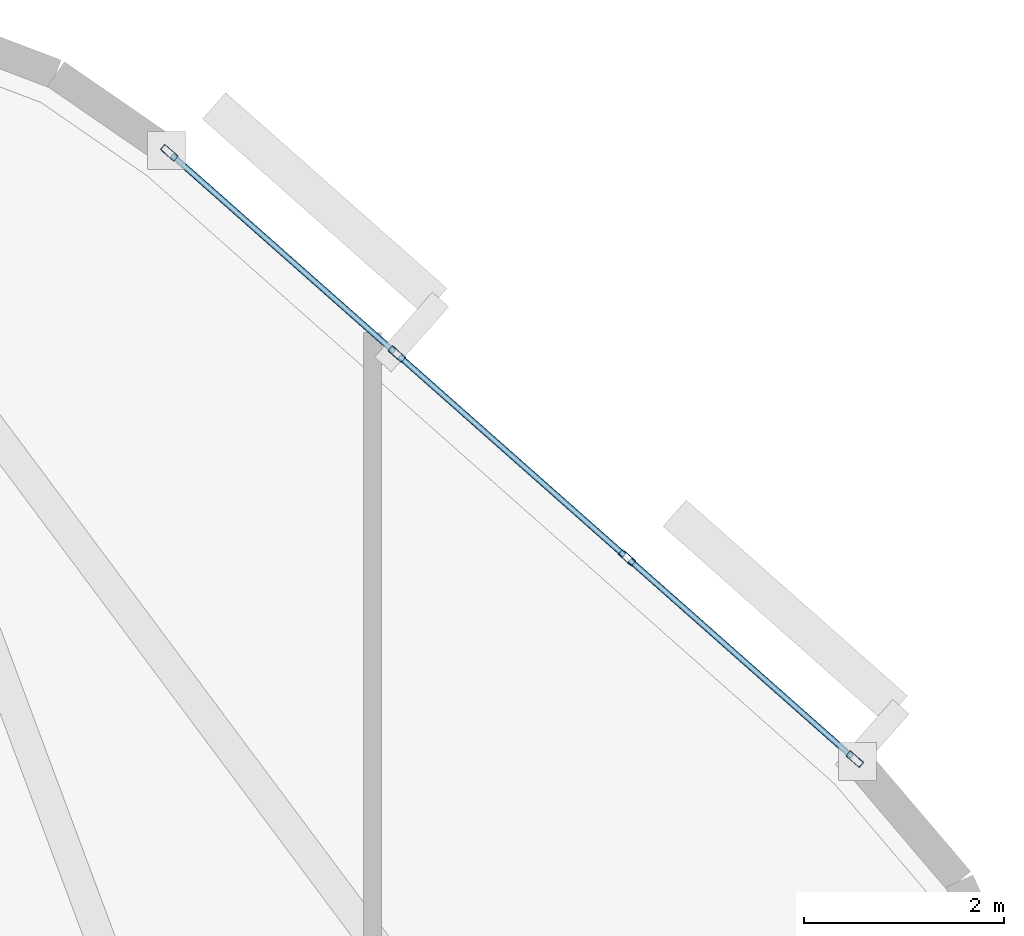
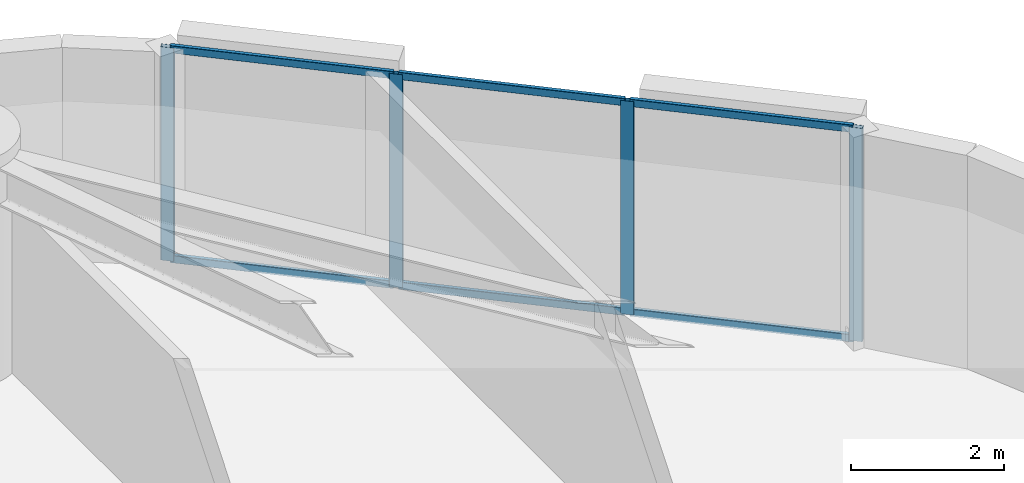
# One storey, part 8 of 16: 10 members, 1 element without a shape of its own.
"""IFC4 building model written with IfcOpenShell, lengths in metres."""

from ifc_helpers import new_model, si_unit, direction, frame, origin, origin_2d, place, context, subcontext, project, spatial, hollow_rectangle, extrude, material, layer, layer_set, material_profile, profile_set, type_object, element, aggregate, save


model = new_model("IFC4")

# Units and contexts
model_context = context("Model", 3, precision=1e-05, world=origin(), true_north=direction((0.0, 1.0)))
body_context = subcontext(model_context, "Body", "Model", "MODEL_VIEW")
ifc_project = project(units=[si_unit("LENGTHUNIT", "METRE"), si_unit("AREAUNIT", "SQUARE_METRE"), si_unit("VOLUMEUNIT", "CUBIC_METRE"), si_unit("PLANEANGLEUNIT", "RADIAN"), si_unit("MASSUNIT", "GRAM", prefix="KILO")], contexts=[model_context])

# Site, building, storey
site_placement = place(None, origin())
site = spatial("IfcSite", under=ifc_project, at=site_placement, CompositionType="ELEMENT")
building_placement = place(site_placement, origin())
building = spatial("IfcBuilding", under=site, at=building_placement, Name="An Khanh Terracotta Commons", CompositionType="ELEMENT")
storey_placement = place(building_placement, frame((0.0, 0.0, 57.60009765625)))
storey = spatial("IfcBuildingStorey", under=building, at=storey_placement, Name="L15", CompositionType="ELEMENT", Elevation=57.60009765625)

# Curtain wall, members
ifc_material = material(Name="Anodised Aluminium 6063-T6", Category="aluminium")
ifc_layer = layer(ifc_material, 0.199951171875, Name="Anodised Aluminium 6063-T6")
ifc_layer_set = layer_set([ifc_layer], Name="Anodised Aluminium 6063-T6")
curtain_wall_type = type_object("IfcCurtainWallType", Name="CW-SYS-02", PredefinedType="USERDEFINED", material=ifc_layer_set)
curtain_wall_placement = place(storey_placement, origin())
curtain_wall = element("IfcCurtainWall", 1, at=curtain_wall_placement, inside=storey, type_object=curtain_wall_type, Name="L15 CW-02 Unitised Curtain Wall CW-L15-16", ObjectType="UNITISED CURTAIN WALL", PredefinedType="USERDEFINED")
ifc_material_profile_1 = material_profile(ifc_material, hollow_rectangle(XDim=0.070068359375, YDim=0.179931640625, WallThickness=0.00390625, InnerFilletRadius=0.00390625, OuterFilletRadius=0.008056640625, at=origin_2d()), Name="RHS180x70x4")
ifc_profile_set_1 = profile_set([ifc_material_profile_1], Name="Anodised Aluminium 6063-T6")
member_type_1 = type_object("IfcMemberType", Name="CWM-RHS180x70x4", PredefinedType="MULLION", material=ifc_profile_set_1)
member_1_placement = place(storey_placement, frame((49.683837890625, 38.295166015625, 0.0), z_axis=(0.0, 0.0, 1.0), x_axis=(-0.662548195415, -0.749019284633, 0.0)))
member_1 = element("IfcMember", 2, at=member_1_placement, type_object=member_type_1, Name="CW-02 mullion 1", PredefinedType="MULLION", context=body_context, shape_type="SweptSolid", body=[
    extrude(hollow_rectangle(XDim=0.070068359375, YDim=0.179931640625, WallThickness=0.00390625, InnerFilletRadius=0.00390625, OuterFilletRadius=0.008056640625, at=origin_2d()), origin(), (0.0, 0.0, 1.0), 3.39990234375),
])
member_2_placement = place(storey_placement, frame((47.403076171875, 40.312744140625, 0.0), z_axis=(0.0, 0.0, 1.0), x_axis=(-0.662548195415, -0.749019284633, 0.0)))
member_2 = element("IfcMember", 3, at=member_2_placement, type_object=member_type_1, Name="CW-02 mullion 2", PredefinedType="MULLION", context=body_context, shape_type="SweptSolid", body=[
    extrude(hollow_rectangle(XDim=0.070068359375, YDim=0.179931640625, WallThickness=0.00390625, InnerFilletRadius=0.00390625, OuterFilletRadius=0.008056640625, at=origin_2d()), origin(), (0.0, 0.0, 1.0), 3.39990234375),
])
member_3_placement = place(storey_placement, frame((45.095947265625, 42.353271484375, 0.0), z_axis=(0.0, 0.0, 1.0), x_axis=(-0.662548195415, -0.749019284633, 0.0)))
member_3 = element("IfcMember", 4, at=member_3_placement, type_object=member_type_1, Name="CW-02 mullion 3", PredefinedType="MULLION", context=body_context, shape_type="SweptSolid", body=[
    extrude(hollow_rectangle(XDim=0.070068359375, YDim=0.179931640625, WallThickness=0.00390625, InnerFilletRadius=0.00390625, OuterFilletRadius=0.008056640625, at=origin_2d()), origin(), (0.0, 0.0, 1.0), 3.39990234375),
])
member_4_placement = place(storey_placement, frame((42.815185546875, 44.370849609375, 0.0), z_axis=(0.0, 0.0, 1.0), x_axis=(-0.662548195415, -0.749019284633, 0.0)))
member_4 = element("IfcMember", 5, at=member_4_placement, type_object=member_type_1, Name="CW-02 mullion 4", PredefinedType="MULLION", context=body_context, shape_type="SweptSolid", body=[
    extrude(hollow_rectangle(XDim=0.070068359375, YDim=0.179931640625, WallThickness=0.00390625, InnerFilletRadius=0.00390625, OuterFilletRadius=0.008056640625, at=origin_2d()), origin(), (0.0, 0.0, 1.0), 3.39990234375),
])
ifc_material_profile_2 = material_profile(ifc_material, hollow_rectangle(XDim=0.06005859375, YDim=0.1201171875, WallThickness=0.003662109375, InnerFilletRadius=0.003662109375, OuterFilletRadius=0.007080078125, at=origin_2d()), Name="RHS120x60x3.6")
ifc_profile_set_2 = profile_set([ifc_material_profile_2], Name="Anodised Aluminium 6063-T6")
member_type_2 = type_object("IfcMemberType", Name="CWT-RHS120x60x3.6", PredefinedType="USERDEFINED", material=ifc_profile_set_2)
member_5_placement = place(storey_placement, frame((49.657470703125, 38.318359375, 0.02978515625), z_axis=(-0.74899186341, 0.662579194168, 0.0), x_axis=(-0.662579194168, -0.74899186341, 0.0)))
member_5 = element("IfcMember", 6, at=member_5_placement, type_object=member_type_2, Name="CW-02 transom 1.1", ObjectType="TRANSOM", PredefinedType="USERDEFINED", context=body_context, shape_type="SweptSolid", body=[
    extrude(hollow_rectangle(XDim=0.06005859375, YDim=0.1201171875, WallThickness=0.003662109375, InnerFilletRadius=0.003662109375, OuterFilletRadius=0.007080078125, at=origin_2d()), origin(), (0.0, 0.0, 1.0), 2.97509765625),
])
member_6_placement = place(storey_placement, frame((49.657470703125, 38.318359375, 3.369873046875), z_axis=(-0.74899186341, 0.662579194168, 0.0), x_axis=(-0.662579194168, -0.74899186341, 0.0)))
member_6 = element("IfcMember", 7, at=member_6_placement, type_object=member_type_2, Name="CW-02 transom 1.2", ObjectType="TRANSOM", PredefinedType="USERDEFINED", context=body_context, shape_type="SweptSolid", body=[
    extrude(hollow_rectangle(XDim=0.06005859375, YDim=0.1201171875, WallThickness=0.003662109375, InnerFilletRadius=0.003662109375, OuterFilletRadius=0.007080078125, at=origin_2d()), origin(), (0.0, 0.0, 1.0), 2.97509765625),
])
member_7_placement = place(storey_placement, frame((47.376708984375, 40.3359375, 0.02978515625), z_axis=(-0.749018237701, 0.662549378984, 0.0), x_axis=(-0.662549378984, -0.749018237701, 0.0)))
member_7 = element("IfcMember", 8, at=member_7_placement, type_object=member_type_2, Name="CW-02 transom 2.1", ObjectType="TRANSOM", PredefinedType="USERDEFINED", context=body_context, shape_type="SweptSolid", body=[
    extrude(hollow_rectangle(XDim=0.06005859375, YDim=0.1201171875, WallThickness=0.003662109375, InnerFilletRadius=0.003662109375, OuterFilletRadius=0.007080078125, at=origin_2d()), origin(), (0.0, 0.0, 1.0), 3.009765625),
])
member_8_placement = place(storey_placement, frame((47.376708984375, 40.3359375, 3.369873046875), z_axis=(-0.749018237701, 0.662549378984, 0.0), x_axis=(-0.662549378984, -0.749018237701, 0.0)))
member_8 = element("IfcMember", 9, at=member_8_placement, type_object=member_type_2, Name="CW-02 transom 2.2", ObjectType="TRANSOM", PredefinedType="USERDEFINED", context=body_context, shape_type="SweptSolid", body=[
    extrude(hollow_rectangle(XDim=0.06005859375, YDim=0.1201171875, WallThickness=0.003662109375, InnerFilletRadius=0.003662109375, OuterFilletRadius=0.007080078125, at=origin_2d()), origin(), (0.0, 0.0, 1.0), 3.009765625),
])
member_9_placement = place(storey_placement, frame((45.06982421875, 42.37646484375, 0.02978515625), z_axis=(-0.74899186341, 0.662579194168, 0.0), x_axis=(-0.662579194168, -0.74899186341, 0.0)))
member_9 = element("IfcMember", 10, at=member_9_placement, type_object=member_type_2, Name="CW-02 transom 3.1", ObjectType="TRANSOM", PredefinedType="USERDEFINED", context=body_context, shape_type="SweptSolid", body=[
    extrude(hollow_rectangle(XDim=0.06005859375, YDim=0.1201171875, WallThickness=0.003662109375, InnerFilletRadius=0.003662109375, OuterFilletRadius=0.007080078125, at=origin_2d()), origin(), (0.0, 0.0, 1.0), 2.97509765625),
])
member_10_placement = place(storey_placement, frame((45.06982421875, 42.37646484375, 3.369873046875), z_axis=(-0.74899186341, 0.662579194168, 0.0), x_axis=(-0.662579194168, -0.74899186341, 0.0)))
member_10 = element("IfcMember", 11, at=member_10_placement, type_object=member_type_2, Name="CW-02 transom 3.2", ObjectType="TRANSOM", PredefinedType="USERDEFINED", context=body_context, shape_type="SweptSolid", body=[
    extrude(hollow_rectangle(XDim=0.06005859375, YDim=0.1201171875, WallThickness=0.003662109375, InnerFilletRadius=0.003662109375, OuterFilletRadius=0.007080078125, at=origin_2d()), origin(), (0.0, 0.0, 1.0), 2.97509765625),
])
aggregate(curtain_wall, [member_1, member_2, member_3, member_4, member_5, member_6, member_7, member_8, member_9, member_10])

save(model, "model.ifc")
